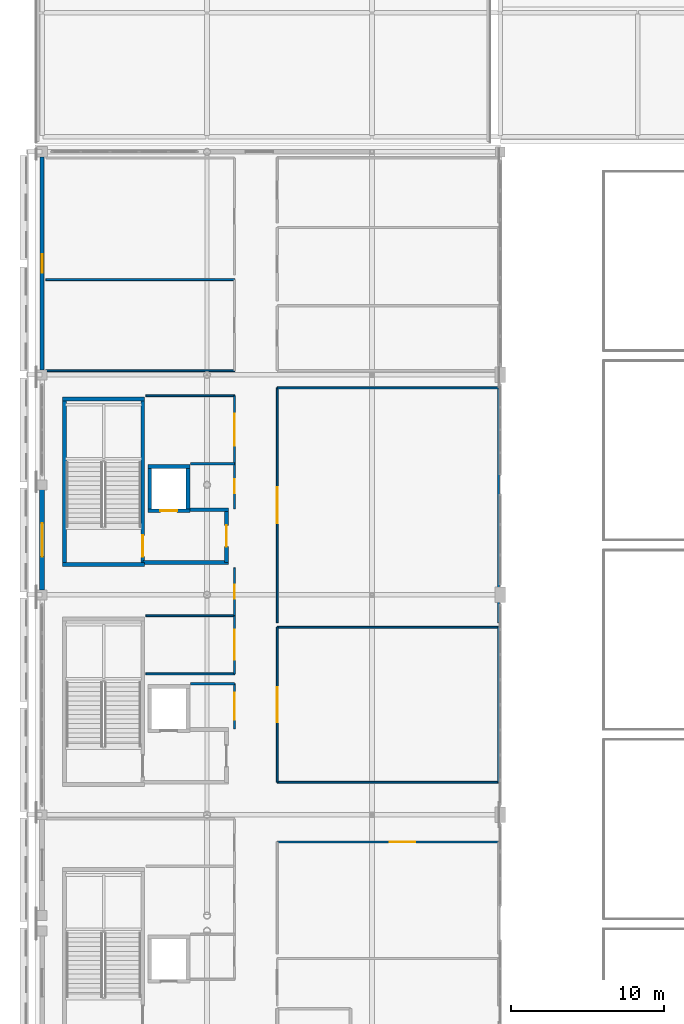
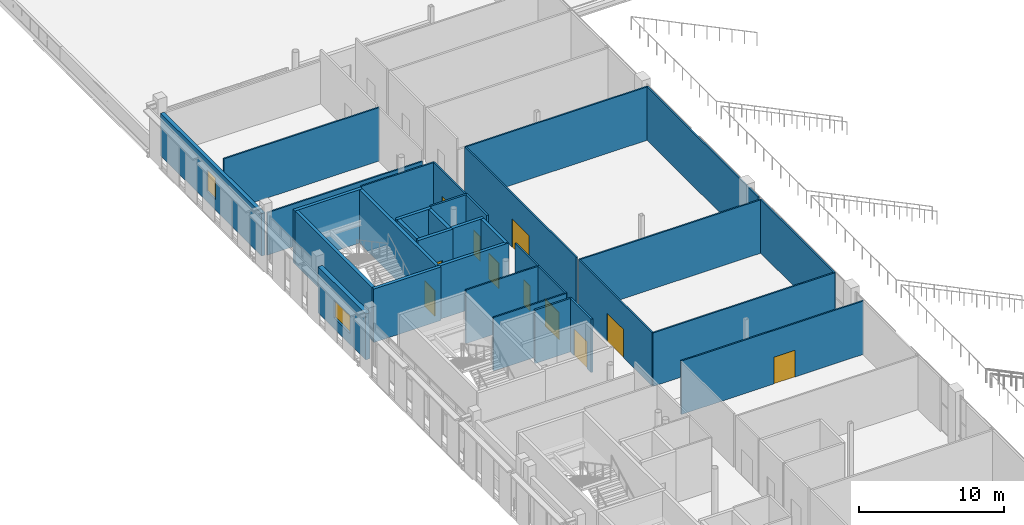
# One storey, part 67 of 104: 33 walls, 11 doors, 2 windows, 13 openings.
"""IFC4 building model written with IfcOpenShell, lengths in metres."""

from ifc_helpers import new_model, si_unit, direction, frame, frame_2d, origin, place, context, subcontext, project, spatial, rectangle, extrude, material, layer, layer_set, type_object, element, fill, save


model = new_model("IFC4")

# Units and contexts
model_context = context("Model", 3, precision=1e-05, world=origin(), true_north=direction((0.0, 1.0)))
body_context = subcontext(model_context, "Body", "Model", "MODEL_VIEW")
ifc_project = project(units=[si_unit("LENGTHUNIT", "METRE"), si_unit("AREAUNIT", "SQUARE_METRE"), si_unit("VOLUMEUNIT", "CUBIC_METRE"), si_unit("PLANEANGLEUNIT", "RADIAN"), si_unit("MASSUNIT", "GRAM", prefix="KILO")], contexts=[model_context])

# Site, building, storey
site_placement = place(None, origin())
site = spatial("IfcSite", under=ifc_project, at=site_placement, CompositionType="ELEMENT")
building_placement = place(site_placement, origin())
building = spatial("IfcBuilding", under=site, at=building_placement, Name="Koshinbarg Plaza Stadium", CompositionType="ELEMENT")
storey_placement = place(building_placement, frame((0.0, 0.0, 19.800048828125)))
storey = spatial("IfcBuildingStorey", under=building, at=storey_placement, Name="L04", CompositionType="ELEMENT", Elevation=19.800048828125)

# Walls
ifc_material_1 = material(Name="Concrete C40/50", Category="concrete")
ifc_layer_1 = layer(ifc_material_1, 0.25)
ifc_layer_set_1 = layer_set([ifc_layer_1], Name="Concrete C40/50")
wall_type_1 = type_object("IfcWallType", Name="WL-CORE-250", PredefinedType="SHEAR", material=ifc_layer_set_1)
for number, where, z_axis, x_axis, name in (
    (1, (25.949951171875, 99.47509765625, 0.0), (0.0, 0.0, 1.0), (1.0, 0.0, 0.0), "L04 core stair shear wall C06-near IWL-L04-0150"),
    (2, (31.320068359375, 110.324951171875, 0.0), (0.0, 0.0, 1.0), (-1.0, 0.0, 0.0), "L04 core stair shear wall C06-far IWL-L04-0151"),
):
    element("IfcWall", number, at=place(storey_placement, frame(where, z_axis=z_axis, x_axis=x_axis)), inside=storey, type_object=wall_type_1, Name=name, PredefinedType="SHEAR", context=body_context, shape_type="SweptSolid", body=[
        extrude(rectangle(XDim=5.3701171875, YDim=0.25, at=frame_2d((2.68505859375, 0.0))), origin(), (0.0, 0.0, 1.0), 4.5),
    ])
wall_1_placement = place(storey_placement, frame((26.074951171875, 99.47509765625, 0.0), z_axis=(0.0, 0.0, 1.0), x_axis=(0.0, 1.0, 0.0)))
element("IfcWall", 3, at=wall_1_placement, inside=storey, type_object=wall_type_1, Name="L04 core stair shear wall C06-left IWL-L04-0152", PredefinedType="SHEAR", context=body_context, shape_type="SweptSolid", body=[
    extrude(rectangle(XDim=10.849853515625, YDim=0.25, at=frame_2d((5.4248046875, 0.0))), origin(), (0.0, 0.0, 1.0), 4.5),
])

# Wall, opening, door
wall_2_placement = place(storey_placement, frame((31.195068359375, 99.47509765625, 0.0), z_axis=(0.0, 0.0, 1.0), x_axis=(0.0, 1.0, 0.0)))
wall_2 = element("IfcWall", 4, at=wall_2_placement, inside=storey, type_object=wall_type_1, Name="L04 core stair shear wall C06-right IWL-L04-0153", PredefinedType="SHEAR", context=body_context, shape_type="SweptSolid", body=[
    extrude(rectangle(XDim=10.849853515625, YDim=0.25, at=frame_2d((5.4248046875, 0.0))), origin(), (0.0, 0.0, 1.0), 4.5),
])
opening_1_placement = place(wall_2_placement, frame((0.52001953125, 0.0, 0.0)))
opening_1 = element("IfcOpeningElement", 5, at=opening_1_placement, cuts=wall_2, Name="Opening D-0100", PredefinedType="OPENING", context=body_context, shape_type="SweptSolid", body=[
    extrude(rectangle(XDim=1.39990234375, YDim=2.14990234375, at=frame_2d((0.699951171875, 1.074951171875))), frame((0.0, 0.135009765625, 0.0), z_axis=(0.0, -1.0, 0.0), x_axis=(1.0, 0.0, 0.0)), (0.0, 0.0, 1.0), 0.27001953125),
])
ifc_material_2 = material(Name="Painted galvanized steel fire door", Category="steel")
door_type_1 = type_object("IfcDoorType", Name="DR-STAIR-1400", OperationType="NOTDEFINED", PredefinedType="DOOR", material=ifc_material_2)
door_1_placement = place(opening_1_placement, origin())
door_1 = element("IfcDoor", 6, at=door_1_placement, inside=storey, type_object=door_type_1, Name="L04 exit stair door C06", OperationType="SINGLE_SWING_LEFT", OverallHeight=2.14990234375, OverallWidth=1.39990234375, PredefinedType="DOOR", context=body_context, shape_type="SweptSolid", body=[
    extrude(rectangle(XDim=1.39990234375, YDim=2.14990234375, at=frame_2d((0.699951171875, 1.074951171875))), frame((0.0, 0.02490234375, 0.0), z_axis=(0.0, -1.0, 0.0), x_axis=(1.0, 0.0, 0.0)), (0.0, 0.0, 1.0), 0.050048828125),
])
fill(opening_1, door_1)

wall_3_placement = place(storey_placement, frame((31.52490234375, 103.0, 0.0), z_axis=(0.0, 0.0, 1.0), x_axis=(1.0, 0.0, 0.0)))
wall_3 = element("IfcWall", 7, at=wall_3_placement, inside=storey, type_object=wall_type_1, Name="L04 lift shaft shear wall FL04-S IWL-L04-0841", PredefinedType="SHEAR", context=body_context, shape_type="SweptSolid", body=[
    extrude(rectangle(XDim=2.75, YDim=0.25, at=frame_2d((1.375, 0.0))), origin(), (0.0, 0.0, 1.0), 4.5),
])
opening_2_placement = place(wall_3_placement, frame((0.824951171875, 0.0, 0.0)))
opening_2 = element("IfcOpeningElement", 8, at=opening_2_placement, cuts=wall_3, Name="Opening D-0279", PredefinedType="OPENING", context=body_context, shape_type="SweptSolid", body=[
    extrude(rectangle(XDim=1.10009765625, YDim=2.14990234375, at=frame_2d((0.550048828125, 1.074951171875))), frame((0.0, 0.135009765625, 0.0), z_axis=(0.0, -1.0, 0.0), x_axis=(1.0, 0.0, 0.0)), (0.0, 0.0, 1.0), 0.27001953125),
])
ifc_material_3 = material(Name="Brushed stainless steel sliding lift landing door", Category="steel")
door_type_2 = type_object("IfcDoorType", Name="DR-LIFT-1100", OperationType="NOTDEFINED", PredefinedType="DOOR", material=ifc_material_3)
door_2_placement = place(opening_2_placement, origin())
door_2 = element("IfcDoor", 9, at=door_2_placement, inside=storey, type_object=door_type_2, Name="L04 lift landing door FL04", OperationType="SLIDING_TO_LEFT", OverallHeight=2.14990234375, OverallWidth=1.10009765625, PredefinedType="DOOR", context=body_context, shape_type="SweptSolid", body=[
    extrude(rectangle(XDim=1.10009765625, YDim=2.14990234375, at=frame_2d((0.550048828125, 1.074951171875))), frame((0.0, 0.02490234375, 0.0), z_axis=(0.0, -1.0, 0.0), x_axis=(1.0, 0.0, 0.0)), (0.0, 0.0, 1.0), 0.050048828125),
])
fill(opening_2, door_2)

# Walls
wall_4_placement = place(storey_placement, frame((34.27490234375, 105.89990234375, 0.0), z_axis=(0.0, 0.0, 1.0), x_axis=(-1.0, 0.0, 0.0)))
element("IfcWall", 10, at=wall_4_placement, inside=storey, type_object=wall_type_1, Name="L04 lift shaft shear wall FL04-N IWL-L04-0842", PredefinedType="SHEAR", context=body_context, shape_type="SweptSolid", body=[
    extrude(rectangle(XDim=2.75, YDim=0.25, at=frame_2d((1.375, 0.0))), origin(), (0.0, 0.0, 1.0), 4.5),
])
for number, where, z_axis, x_axis, name in (
    (11, (31.64990234375, 105.89990234375, 0.0), (0.0, 0.0, 1.0), (0.0, -1.0, 0.0), "L04 lift shaft shear wall FL04-W IWL-L04-0843"),
    (12, (34.14990234375, 103.0, 0.0), (0.0, 0.0, 1.0), (0.0, 1.0, 0.0), "L04 lift shaft shear wall FL04-E IWL-L04-0844"),
):
    element("IfcWall", number, at=place(storey_placement, frame(where, z_axis=z_axis, x_axis=x_axis)), inside=storey, type_object=wall_type_1, Name=name, PredefinedType="SHEAR", context=body_context, shape_type="SweptSolid", body=[
        extrude(rectangle(XDim=2.89990234375, YDim=0.25, at=frame_2d((1.449951171875, 0.0))), origin(), (0.0, 0.0, 1.0), 4.5),
    ])

# Wall, opening, door
wall_5_placement = place(storey_placement, frame((36.675048828125, 99.625, 0.0), z_axis=(0.0, 0.0, 1.0), x_axis=(0.0, 1.0, 0.0)))
wall_5 = element("IfcWall", 13, at=wall_5_placement, inside=storey, type_object=wall_type_1, Name="L04 firefighting lobby wall C06-E IWL-L04-0845", PredefinedType="SHEAR", context=body_context, shape_type="SweptSolid", body=[
    extrude(rectangle(XDim=3.449951171875, YDim=0.25, at=frame_2d((1.72509765625, 0.0))), origin(), (0.0, 0.0, 1.0), 4.5),
])
opening_3_placement = place(wall_5_placement, frame((1.02490234375, 0.0, 0.0)))
opening_3 = element("IfcOpeningElement", 14, at=opening_3_placement, cuts=wall_5, Name="Opening D-0280", PredefinedType="OPENING", context=body_context, shape_type="SweptSolid", body=[
    extrude(rectangle(XDim=1.39990234375, YDim=2.14990234375, at=frame_2d((0.699951171875, 1.074951171875))), frame((0.0, 0.135009765625, 0.0), z_axis=(0.0, -1.0, 0.0), x_axis=(1.0, 0.0, 0.0)), (0.0, 0.0, 1.0), 0.27001953125),
])
ifc_material_4 = material(Name="Smoke-sealed steel firefighting lobby door", Category="steel")
door_type_3 = type_object("IfcDoorType", Name="DR-FFLOB-1400", OperationType="NOTDEFINED", PredefinedType="DOOR", material=ifc_material_4)
door_3_placement = place(opening_3_placement, origin())
door_3 = element("IfcDoor", 15, at=door_3_placement, inside=storey, type_object=door_type_3, Name="L04 firefighting lobby fire door C06", OperationType="DOUBLE_DOOR_SINGLE_SWING", OverallHeight=2.14990234375, OverallWidth=1.39990234375, PredefinedType="DOOR", context=body_context, shape_type="SweptSolid", body=[
    extrude(rectangle(XDim=1.39990234375, YDim=2.14990234375, at=frame_2d((0.699951171875, 1.074951171875))), frame((0.0, 0.02490234375, 0.0), z_axis=(0.0, -1.0, 0.0), x_axis=(1.0, 0.0, 0.0)), (0.0, 0.0, 1.0), 0.050048828125),
])
fill(opening_3, door_3)

# Walls
wall_6_placement = place(storey_placement, frame((34.27490234375, 103.074951171875, 0.0), z_axis=(0.0, 0.0, 1.0), x_axis=(1.0, 0.0, 0.0)))
element("IfcWall", 16, at=wall_6_placement, inside=storey, type_object=wall_type_1, Name="L04 firefighting lobby wall C06-NE IWL-L04-0846", PredefinedType="SHEAR", context=body_context, shape_type="SweptSolid", body=[
    extrude(rectangle(XDim=2.525146484375, YDim=0.25, at=frame_2d((1.2626953125, 0.0))), origin(), (0.0, 0.0, 1.0), 4.5),
])
wall_7_placement = place(storey_placement, frame((31.199951171875, 99.625, 0.0), z_axis=(0.0, 0.0, 1.0), x_axis=(1.0, 0.0, 0.0)))
element("IfcWall", 17, at=wall_7_placement, inside=storey, type_object=wall_type_1, Name="L04 firefighting lobby wall C06-S IWL-L04-0847", PredefinedType="SHEAR", context=body_context, shape_type="SweptSolid", body=[
    extrude(rectangle(XDim=5.60009765625, YDim=0.25, at=frame_2d((2.800048828125, 0.0))), origin(), (0.0, 0.0, 1.0), 4.5),
])

# Wall, opening, window
ifc_material_5 = material(Name="Terracotta-ochre mineral plaster insulated wall", Category="masonry")
ifc_layer_2 = layer(ifc_material_5, 0.280029296875)
ifc_layer_set_2 = layer_set([ifc_layer_2], Name="Terracotta-ochre mineral plaster insulated wall")
wall_type_2 = type_object("IfcWallType", Name="WL-EXT-280", PredefinedType="SOLIDWALL", material=ifc_layer_set_2)
wall_8_placement = place(storey_placement, frame((24.60009765625, 112.219970703125, 0.0), z_axis=(0.0, 0.0, 1.0), x_axis=(0.0, 1.0, 0.0)))
wall_8 = element("IfcWall", 18, at=wall_8_placement, inside=storey, type_object=wall_type_2, Name="L04 exterior envelope wall EWL-L04-0208", PredefinedType="SOLIDWALL", context=body_context, shape_type="SweptSolid", body=[
    extrude(rectangle(XDim=13.93505859375, YDim=0.280029296875, at=frame_2d((6.967529296875, 0.0))), origin(), (0.0, 0.0, 1.0), 3.579833984375),
])
opening_4_placement = place(wall_8_placement, frame((6.367431640625, 0.0, 0.89990234375)))
opening_4 = element("IfcOpeningElement", 19, at=opening_4_placement, cuts=wall_8, Name="Opening WN07", PredefinedType="OPENING", context=body_context, shape_type="SweptSolid", body=[
    extrude(rectangle(XDim=1.199951171875, YDim=1.800048828125, at=frame_2d((0.60009765625, 0.89990234375))), frame((0.0, 0.14990234375, 0.0), z_axis=(0.0, -1.0, 0.0), x_axis=(1.0, 0.0, 0.0)), (0.0, 0.0, 1.0), 0.300048828125),
])
ifc_material_6 = material(Name="Solar-control double glazing in thermally broken aluminium frame", Category="aluminium")
window_type_1 = type_object("IfcWindowType", Name="WN-FAC-07", PartitioningType="DOUBLE_PANEL_VERTICAL", PredefinedType="WINDOW", material=ifc_material_6)
window_1_placement = place(opening_4_placement, origin())
window_1 = element("IfcWindow", 20, at=window_1_placement, inside=storey, type_object=window_type_1, Name="L04 facade window 0141", OverallHeight=1.800048828125, OverallWidth=1.199951171875, PartitioningType="SINGLE_PANEL", PredefinedType="WINDOW", context=body_context, shape_type="SweptSolid", body=[
    extrude(rectangle(XDim=1.199951171875, YDim=1.800048828125, at=frame_2d((0.60009765625, 0.89990234375))), frame((0.0, 0.030029296875, 0.0), z_axis=(0.0, -1.0, 0.0), x_axis=(1.0, 0.0, 0.0)), (0.0, 0.0, 1.0), 0.06005859375),
])
fill(opening_4, window_1)

ifc_material_7 = material(Name="Acoustic insulated masonry stadium wall", Category="masonry")
ifc_layer_3 = layer(ifc_material_7, 0.35009765625)
ifc_layer_set_3 = layer_set([ifc_layer_3], Name="Acoustic insulated masonry stadium wall")
wall_type_3 = type_object("IfcWallType", Name="WL-EXT-350", PredefinedType="SOLIDWALL", material=ifc_layer_set_3)
wall_9_placement = place(storey_placement, frame((24.60009765625, 97.820068359375, 0.0), z_axis=(0.0, 0.0, 1.0), x_axis=(0.0, 1.0, 0.0)))
wall_9 = element("IfcWall", 21, at=wall_9_placement, inside=storey, type_object=wall_type_3, Name="L04 exterior envelope wall EWL-L04-0207", PredefinedType="SOLIDWALL", context=body_context, shape_type="SweptSolid", body=[
    extrude(rectangle(XDim=6.559814453125, YDim=0.35009765625, at=frame_2d((3.27978515625, 0.0))), origin(), (0.0, 0.0, 1.0), 3.8798828125),
])
opening_5_placement = place(wall_9_placement, frame((2.179931640625, 0.0, 0.89990234375)))
opening_5 = element("IfcOpeningElement", 22, at=opening_5_placement, cuts=wall_9, Name="Opening WN06", PredefinedType="OPENING", context=body_context, shape_type="SweptSolid", body=[
    extrude(rectangle(XDim=2.199951171875, YDim=1.5, at=frame_2d((1.10009765625, 0.75))), frame((0.0, 0.18505859375, 0.0), z_axis=(0.0, -1.0, 0.0), x_axis=(1.0, 0.0, 0.0)), (0.0, 0.0, 1.0), 0.3701171875),
])
window_type_2 = type_object("IfcWindowType", Name="WN-FAC-06", PartitioningType="DOUBLE_PANEL_VERTICAL", PredefinedType="WINDOW", material=ifc_material_6)
window_2_placement = place(opening_5_placement, origin())
window_2 = element("IfcWindow", 23, at=window_2_placement, inside=storey, type_object=window_type_2, Name="L04 facade window 0140", OverallHeight=1.5, OverallWidth=2.199951171875, PartitioningType="SINGLE_PANEL", PredefinedType="WINDOW", context=body_context, shape_type="SweptSolid", body=[
    extrude(rectangle(XDim=2.199951171875, YDim=1.5, at=frame_2d((1.10009765625, 0.75))), frame((0.0, 0.030029296875, 0.0), z_axis=(0.0, -1.0, 0.0), x_axis=(1.0, 0.0, 0.0)), (0.0, 0.0, 1.0), 0.06005859375),
])
fill(opening_5, window_2)

# Wall, opening, door
ifc_material_8 = material(Name="Gypsum board metal-stud acoustic partition")
ifc_layer_4 = layer(ifc_material_8, 0.1201171875)
ifc_layer_set_4 = layer_set([ifc_layer_4], Name="Gypsum board metal-stud acoustic partition")
wall_type_4 = type_object("IfcWallType", Name="WL-PART-120", PredefinedType="PARTITIONING", material=ifc_layer_set_4)
wall_10_placement = place(storey_placement, frame((54.47998046875, 81.320068359375, 0.0), z_axis=(0.0, 0.0, 1.0), x_axis=(-1.0, 0.0, 0.0)))
wall_10 = element("IfcWall", 24, at=wall_10_placement, inside=storey, type_object=wall_type_4, Name="L04 interior partition L04-51-north IWL-L04-2130", PredefinedType="PARTITIONING", context=body_context, shape_type="SweptSolid", body=[
    extrude(rectangle(XDim=14.47998046875, YDim=0.1201171875, at=frame_2d((7.239990234375, 0.0))), origin(), (0.0, 0.0, 1.0), 4.5),
])
opening_6_placement = place(wall_10_placement, frame((5.431884765625, 0.0, 0.0)))
opening_6 = element("IfcOpeningElement", 25, at=opening_6_placement, cuts=wall_10, Name="Opening D-0734", PredefinedType="OPENING", context=body_context, shape_type="SweptSolid", body=[
    extrude(rectangle(XDim=1.679931640625, YDim=2.25, at=frame_2d((0.83984375, 1.125))), frame((0.0, 0.070068359375, 0.0), z_axis=(0.0, -1.0, 0.0), x_axis=(1.0, 0.0, 0.0)), (0.0, 0.0, 1.0), 0.14013671875),
])
ifc_material_9 = material(Name="Powder-coated aluminium double glazed door", Category="aluminium")
door_type_4 = type_object("IfcDoorType", Name="DR-INT-1680x2250", OperationType="NOTDEFINED", PredefinedType="DOOR", material=ifc_material_9)
door_4_placement = place(opening_6_placement, origin())
door_4 = element("IfcDoor", 26, at=door_4_placement, inside=storey, type_object=door_type_4, Name="L04 International Press Lounge door D-0734", OperationType="DOUBLE_DOOR_SINGLE_SWING", OverallHeight=2.25, OverallWidth=1.679931640625, PredefinedType="DOOR", context=body_context, shape_type="SweptSolid", body=[
    extrude(rectangle(XDim=1.679931640625, YDim=2.25, at=frame_2d((0.83984375, 1.125))), frame((0.0, 0.02490234375, 0.0), z_axis=(0.0, -1.0, 0.0), x_axis=(1.0, 0.0, 0.0)), (0.0, 0.0, 1.0), 0.050048828125),
])
fill(opening_6, door_4)

wall_11_placement = place(storey_placement, frame((37.199951171875, 96.1298828125, 0.0), z_axis=(0.0, 0.0, 1.0), x_axis=(0.0, 1.0, 0.0)))
wall_11 = element("IfcWall", 27, at=wall_11_placement, inside=storey, type_object=wall_type_4, Name="L04 interior partition L04-53-east IWL-L04-2134", PredefinedType="PARTITIONING", context=body_context, shape_type="SweptSolid", body=[
    extrude(rectangle(XDim=3.14013671875, YDim=0.1201171875, at=frame_2d((1.570068359375, 0.0))), origin(), (0.0, 0.0, 1.0), 4.5),
])
opening_7_placement = place(wall_11_placement, frame((1.110107421875, 0.0, 0.0)))
opening_7 = element("IfcOpeningElement", 28, at=opening_7_placement, cuts=wall_11, Name="Opening D-0736", PredefinedType="OPENING", context=body_context, shape_type="SweptSolid", body=[
    extrude(rectangle(XDim=0.919921875, YDim=2.10009765625, at=frame_2d((0.4599609375, 1.050048828125))), frame((0.0, 0.070068359375, 0.0), z_axis=(0.0, -1.0, 0.0), x_axis=(1.0, 0.0, 0.0)), (0.0, 0.0, 1.0), 0.14013671875),
])
ifc_material_10 = material(Name="Solid-core oak veneer acoustic door")
door_type_5 = type_object("IfcDoorType", Name="DR-INT-0920x2100", OperationType="NOTDEFINED", PredefinedType="DOOR", material=ifc_material_10)
door_5_placement = place(opening_7_placement, origin())
door_5 = element("IfcDoor", 29, at=door_5_placement, inside=storey, type_object=door_type_5, Name="L04 International Press Lounge door D-0736", OperationType="SINGLE_SWING_RIGHT", OverallHeight=2.10009765625, OverallWidth=0.919921875, PredefinedType="DOOR", context=body_context, shape_type="SweptSolid", body=[
    extrude(rectangle(XDim=0.919921875, YDim=2.10009765625, at=frame_2d((0.4599609375, 1.050048828125))), frame((0.0, 0.02490234375, 0.0), z_axis=(0.0, -1.0, 0.0), x_axis=(1.0, 0.0, 0.0)), (0.0, 0.0, 1.0), 0.050048828125),
])
fill(opening_7, door_5)

# Wall
wall_12_placement = place(storey_placement, frame((31.39990234375, 92.323486328125, 0.0), z_axis=(0.0, 0.0, 1.0), x_axis=(1.0, 0.0, 0.0)))
element("IfcWall", 30, at=wall_12_placement, inside=storey, type_object=wall_type_4, Name="L04 interior partition L04-54-south IWL-L04-2135", PredefinedType="PARTITIONING", context=body_context, shape_type="SweptSolid", body=[
    extrude(rectangle(XDim=5.800048828125, YDim=0.1201171875, at=frame_2d((2.89990234375, 0.0))), origin(), (0.0, 0.0, 1.0), 4.5),
])

# Wall, opening, door
wall_13_placement = place(storey_placement, frame((37.199951171875, 92.323486328125, 0.0), z_axis=(0.0, 0.0, 1.0), x_axis=(0.0, 1.0, 0.0)))
wall_13 = element("IfcWall", 31, at=wall_13_placement, inside=storey, type_object=wall_type_4, Name="L04 interior partition L04-54-east IWL-L04-2136", PredefinedType="PARTITIONING", context=body_context, shape_type="SweptSolid", body=[
    extrude(rectangle(XDim=3.806396484375, YDim=0.1201171875, at=frame_2d((1.9033203125, 0.0))), origin(), (0.0, 0.0, 1.0), 4.5),
])
opening_8_placement = place(wall_13_placement, frame((0.923095703125, 0.0, 0.0)))
opening_8 = element("IfcOpeningElement", 32, at=opening_8_placement, cuts=wall_13, Name="Opening D-0737", PredefinedType="OPENING", context=body_context, shape_type="SweptSolid", body=[
    extrude(rectangle(XDim=1.9599609375, YDim=2.300048828125, at=frame_2d((0.97998046875, 1.14990234375))), frame((0.0, 0.070068359375, 0.0), z_axis=(0.0, -1.0, 0.0), x_axis=(1.0, 0.0, 0.0)), (0.0, 0.0, 1.0), 0.14013671875),
])
ifc_material_11 = material(Name="Bronze-anodised aluminium glazed double door", Category="aluminium")
door_type_6 = type_object("IfcDoorType", Name="DR-INT-1960x2300", OperationType="NOTDEFINED", PredefinedType="DOOR", material=ifc_material_11)
door_6_placement = place(opening_8_placement, origin())
door_6 = element("IfcDoor", 33, at=door_6_placement, inside=storey, type_object=door_type_6, Name="L04 West Skybox Salon door D-0737", OperationType="DOUBLE_DOOR_SINGLE_SWING", OverallHeight=2.300048828125, OverallWidth=1.9599609375, PredefinedType="DOOR", context=body_context, shape_type="SweptSolid", body=[
    extrude(rectangle(XDim=1.9599609375, YDim=2.300048828125, at=frame_2d((0.97998046875, 1.14990234375))), frame((0.0, 0.02490234375, 0.0), z_axis=(0.0, -1.0, 0.0), x_axis=(1.0, 0.0, 0.0)), (0.0, 0.0, 1.0), 0.050048828125),
])
fill(opening_8, door_6)

# Wall
wall_14_placement = place(storey_placement, frame((37.199951171875, 96.1298828125, 0.0), z_axis=(0.0, 0.0, 1.0), x_axis=(-1.0, 0.0, 0.0)))
element("IfcWall", 34, at=wall_14_placement, inside=storey, type_object=wall_type_4, Name="L04 interior partition L04-54-north IWL-L04-2137", PredefinedType="PARTITIONING", context=body_context, shape_type="SweptSolid", body=[
    extrude(rectangle(XDim=5.800048828125, YDim=0.1201171875, at=frame_2d((2.89990234375, 0.0))), origin(), (0.0, 0.0, 1.0), 4.5),
])

# Wall, opening, door
wall_15_placement = place(storey_placement, frame((37.199951171875, 106.080078125, 0.0), z_axis=(0.0, 0.0, 1.0), x_axis=(0.0, 1.0, 0.0)))
wall_15 = element("IfcWall", 35, at=wall_15_placement, inside=storey, type_object=wall_type_4, Name="L04 interior partition L04-55-east IWL-L04-2138", PredefinedType="PARTITIONING", context=body_context, shape_type="SweptSolid", body=[
    extrude(rectangle(XDim=4.449951171875, YDim=0.1201171875, at=frame_2d((2.22509765625, 0.0))), origin(), (0.0, 0.0, 1.0), 4.5),
])
opening_9_placement = place(wall_15_placement, frame((1.18505859375, 0.0, 0.0)))
opening_9 = element("IfcOpeningElement", 36, at=opening_9_placement, cuts=wall_15, Name="Opening D-0738", PredefinedType="OPENING", context=body_context, shape_type="SweptSolid", body=[
    extrude(rectangle(XDim=2.080078125, YDim=2.35009765625, at=frame_2d((1.0400390625, 1.175048828125))), frame((0.0, 0.070068359375, 0.0), z_axis=(0.0, -1.0, 0.0), x_axis=(1.0, 0.0, 0.0)), (0.0, 0.0, 1.0), 0.14013671875),
])
ifc_material_12 = material(Name="Laminated safety glass aluminium vestibule door", Category="aluminium")
door_type_7 = type_object("IfcDoorType", Name="DR-INT-2080x2350", OperationType="NOTDEFINED", PredefinedType="DOOR", material=ifc_material_12)
door_7_placement = place(opening_9_placement, origin())
door_7 = element("IfcDoor", 37, at=door_7_placement, inside=storey, type_object=door_type_7, Name="L04 West Skybox Salon door D-0738", OperationType="DOUBLE_DOOR_SINGLE_SWING", OverallHeight=2.35009765625, OverallWidth=2.080078125, PredefinedType="DOOR", context=body_context, shape_type="SweptSolid", body=[
    extrude(rectangle(XDim=2.080078125, YDim=2.35009765625, at=frame_2d((1.0400390625, 1.175048828125))), frame((0.0, 0.02490234375, 0.0), z_axis=(0.0, -1.0, 0.0), x_axis=(1.0, 0.0, 0.0)), (0.0, 0.0, 1.0), 0.050048828125),
])
fill(opening_9, door_7)

# Walls
wall_16_placement = place(storey_placement, frame((37.199951171875, 110.530029296875, 0.0), z_axis=(0.0, 0.0, 1.0), x_axis=(-1.0, 0.0, 0.0)))
element("IfcWall", 38, at=wall_16_placement, inside=storey, type_object=wall_type_4, Name="L04 interior partition L04-55-north IWL-L04-2139", PredefinedType="PARTITIONING", context=body_context, shape_type="SweptSolid", body=[
    extrude(rectangle(XDim=5.800048828125, YDim=0.1201171875, at=frame_2d((2.89990234375, 0.0))), origin(), (0.0, 0.0, 1.0), 4.5),
])
wall_17_placement = place(storey_placement, frame((40.0, 85.22998046875, 0.0), z_axis=(0.0, 0.0, 1.0), x_axis=(1.0, 0.0, 0.0)))
element("IfcWall", 39, at=wall_17_placement, inside=storey, type_object=wall_type_4, Name="L04 interior partition L04-57-south IWL-L04-2142", PredefinedType="PARTITIONING", context=body_context, shape_type="SweptSolid", body=[
    extrude(rectangle(XDim=14.47998046875, YDim=0.1201171875, at=frame_2d((7.239990234375, 0.0))), origin(), (0.0, 0.0, 1.0), 4.5),
])
wall_18_placement = place(storey_placement, frame((54.47998046875, 85.22998046875, 0.0), z_axis=(0.0, 0.0, 1.0), x_axis=(0.0, 1.0, 0.0)))
element("IfcWall", 40, at=wall_18_placement, inside=storey, type_object=wall_type_4, Name="L04 interior partition L04-57-east IWL-L04-2143", PredefinedType="PARTITIONING", context=body_context, shape_type="SweptSolid", body=[
    extrude(rectangle(XDim=10.151123046875, YDim=0.1201171875, at=frame_2d((5.07568359375, 0.0))), origin(), (0.0, 0.0, 1.0), 4.5),
])
wall_19_placement = place(storey_placement, frame((54.47998046875, 95.381103515625, 0.0), z_axis=(0.0, 0.0, 1.0), x_axis=(-1.0, 0.0, 0.0)))
element("IfcWall", 41, at=wall_19_placement, inside=storey, type_object=wall_type_4, Name="L04 interior partition L04-57-north IWL-L04-2144", PredefinedType="PARTITIONING", context=body_context, shape_type="SweptSolid", body=[
    extrude(rectangle(XDim=14.47998046875, YDim=0.1201171875, at=frame_2d((7.239990234375, 0.0))), origin(), (0.0, 0.0, 1.0), 4.5),
])

# Wall, opening, door
wall_20_placement = place(storey_placement, frame((40.0, 95.381103515625, 0.0), z_axis=(0.0, 0.0, 1.0), x_axis=(0.0, -1.0, 0.0)))
wall_20 = element("IfcWall", 42, at=wall_20_placement, inside=storey, type_object=wall_type_4, Name="L04 interior partition L04-57-west IWL-L04-2145", PredefinedType="PARTITIONING", context=body_context, shape_type="SweptSolid", body=[
    extrude(rectangle(XDim=10.151123046875, YDim=0.1201171875, at=frame_2d((5.07568359375, 0.0))), origin(), (0.0, 0.0, 1.0), 4.5),
])
opening_10_placement = place(wall_20_placement, frame((3.935546875, 0.0, 0.0)))
opening_10 = element("IfcOpeningElement", 43, at=opening_10_placement, cuts=wall_20, Name="Opening D-0740", PredefinedType="OPENING", context=body_context, shape_type="SweptSolid", body=[
    extrude(rectangle(XDim=2.280029296875, YDim=2.39990234375, at=frame_2d((1.14013671875, 1.199951171875))), frame((0.0, 0.070068359375, 0.0), z_axis=(0.0, -1.0, 0.0), x_axis=(1.0, 0.0, 0.0)), (0.0, 0.0, 1.0), 0.14013671875),
])
ifc_material_13 = material(Name="Anodised aluminium and laminated glass portal door", Category="aluminium")
door_type_8 = type_object("IfcDoorType", Name="DR-INT-2280x2400", OperationType="NOTDEFINED", PredefinedType="DOOR", material=ifc_material_13)
door_8_placement = place(opening_10_placement, origin())
door_8 = element("IfcDoor", 44, at=door_8_placement, inside=storey, type_object=door_type_8, Name="L04 International Press Lounge door D-0740", OperationType="DOUBLE_DOOR_SINGLE_SWING", OverallHeight=2.39990234375, OverallWidth=2.280029296875, PredefinedType="DOOR", context=body_context, shape_type="SweptSolid", body=[
    extrude(rectangle(XDim=2.280029296875, YDim=2.39990234375, at=frame_2d((1.14013671875, 1.199951171875))), frame((0.0, 0.02490234375, 0.0), z_axis=(0.0, -1.0, 0.0), x_axis=(1.0, 0.0, 0.0)), (0.0, 0.0, 1.0), 0.050048828125),
])
fill(opening_10, door_8)

# Walls
wall_21_placement = place(storey_placement, frame((54.47998046875, 95.68115234375, 0.0), z_axis=(0.0, 0.0, 1.0), x_axis=(0.0, 1.0, 0.0)))
element("IfcWall", 45, at=wall_21_placement, inside=storey, type_object=wall_type_4, Name="L04 interior partition L04-58-east IWL-L04-2146", PredefinedType="PARTITIONING", context=body_context, shape_type="SweptSolid", body=[
    extrude(rectangle(XDim=15.368896484375, YDim=0.1201171875, at=frame_2d((7.6845703125, 0.0))), origin(), (0.0, 0.0, 1.0), 4.5),
])
wall_22_placement = place(storey_placement, frame((54.47998046875, 111.050048828125, 0.0), z_axis=(0.0, 0.0, 1.0), x_axis=(-1.0, 0.0, 0.0)))
element("IfcWall", 46, at=wall_22_placement, inside=storey, type_object=wall_type_4, Name="L04 interior partition L04-58-north IWL-L04-2147", PredefinedType="PARTITIONING", context=body_context, shape_type="SweptSolid", body=[
    extrude(rectangle(XDim=14.47998046875, YDim=0.1201171875, at=frame_2d((7.239990234375, 0.0))), origin(), (0.0, 0.0, 1.0), 4.5),
])

# Wall, opening, door
wall_23_placement = place(storey_placement, frame((40.0, 111.050048828125, 0.0), z_axis=(0.0, 0.0, 1.0), x_axis=(0.0, -1.0, 0.0)))
wall_23 = element("IfcWall", 47, at=wall_23_placement, inside=storey, type_object=wall_type_4, Name="L04 interior partition L04-58-west IWL-L04-2148", PredefinedType="PARTITIONING", context=body_context, shape_type="SweptSolid", body=[
    extrude(rectangle(XDim=15.368896484375, YDim=0.1201171875, at=frame_2d((7.6845703125, 0.0))), origin(), (0.0, 0.0, 1.0), 4.5),
])
opening_11_placement = place(wall_23_placement, frame((6.50439453125, 0.0, 0.0)))
opening_11 = element("IfcOpeningElement", 48, at=opening_11_placement, cuts=wall_23, Name="Opening D-0741", PredefinedType="OPENING", context=body_context, shape_type="SweptSolid", body=[
    extrude(rectangle(XDim=2.360107421875, YDim=2.39990234375, at=frame_2d((1.18017578125, 1.199951171875))), frame((0.0, 0.070068359375, 0.0), z_axis=(0.0, -1.0, 0.0), x_axis=(1.0, 0.0, 0.0)), (0.0, 0.0, 1.0), 0.14013671875),
])
ifc_material_14 = material(Name="Powder-coated steel and tempered glass double door", Category="steel")
door_type_9 = type_object("IfcDoorType", Name="DR-INT-2360x2400", OperationType="NOTDEFINED", PredefinedType="DOOR", material=ifc_material_14)
door_9_placement = place(opening_11_placement, origin())
door_9 = element("IfcDoor", 49, at=door_9_placement, inside=storey, type_object=door_type_9, Name="L04 West Skybox Salon door D-0741", OperationType="DOUBLE_DOOR_SINGLE_SWING", OverallHeight=2.39990234375, OverallWidth=2.360107421875, PredefinedType="DOOR", context=body_context, shape_type="SweptSolid", body=[
    extrude(rectangle(XDim=2.360107421875, YDim=2.39990234375, at=frame_2d((1.18017578125, 1.199951171875))), frame((0.0, 0.02490234375, 0.0), z_axis=(0.0, -1.0, 0.0), x_axis=(1.0, 0.0, 0.0)), (0.0, 0.0, 1.0), 0.050048828125),
])
fill(opening_11, door_9)

# Walls
wall_24_placement = place(storey_placement, frame((24.844970703125, 112.169921875, 0.0), z_axis=(0.0, 0.0, 1.0), x_axis=(1.0, 0.0, 0.0)))
element("IfcWall", 50, at=wall_24_placement, inside=storey, type_object=wall_type_4, Name="L04 interior partition L04-59-south IWL-L04-2149", PredefinedType="PARTITIONING", context=body_context, shape_type="SweptSolid", body=[
    extrude(rectangle(XDim=12.35498046875, YDim=0.1201171875, at=frame_2d((6.177490234375, 0.0))), origin(), (0.0, 0.0, 1.0), 3.579833984375),
])
wall_25_placement = place(storey_placement, frame((37.199951171875, 118.13330078125, 0.0), z_axis=(0.0, 0.0, 1.0), x_axis=(-1.0, 0.0, 0.0)))
element("IfcWall", 51, at=wall_25_placement, inside=storey, type_object=wall_type_4, Name="L04 interior partition L04-59-north IWL-L04-2151", PredefinedType="PARTITIONING", context=body_context, shape_type="SweptSolid", body=[
    extrude(rectangle(XDim=12.35498046875, YDim=0.1201171875, at=frame_2d((6.177490234375, 0.0))), origin(), (0.0, 0.0, 1.0), 4.5),
])

# Wall, opening, door
ifc_material_15 = material(Name="Double-layer gypsum acoustic suite partition")
ifc_layer_5 = layer(ifc_material_15, 0.14990234375)
ifc_layer_set_5 = layer_set([ifc_layer_5], Name="Double-layer gypsum acoustic suite partition")
wall_type_5 = type_object("IfcWallType", Name="WL-PART-150", PredefinedType="PARTITIONING", material=ifc_layer_set_5)
wall_26_placement = place(storey_placement, frame((37.199951171875, 88.72998046875, 0.0), z_axis=(0.0, 0.0, 1.0), x_axis=(0.0, 1.0, 0.0)))
wall_26 = element("IfcWall", 52, at=wall_26_placement, inside=storey, type_object=wall_type_5, Name="L04 interior partition L04-52-east IWL-L04-2132", PredefinedType="PARTITIONING", context=body_context, shape_type="SweptSolid", body=[
    extrude(rectangle(XDim=2.949951171875, YDim=0.14990234375, at=frame_2d((1.47509765625, 0.0))), origin(), (0.0, 0.0, 1.0), 4.5),
])
opening_12_placement = place(wall_26_placement, frame((0.594970703125, 0.0, 0.0)))
opening_12 = element("IfcOpeningElement", 53, at=opening_12_placement, cuts=wall_26, Name="Opening D-0735", PredefinedType="OPENING", context=body_context, shape_type="SweptSolid", body=[
    extrude(rectangle(XDim=1.760009765625, YDim=2.25, at=frame_2d((0.8798828125, 1.125))), frame((0.0, 0.0849609375, 0.0), z_axis=(0.0, -1.0, 0.0), x_axis=(1.0, 0.0, 0.0)), (0.0, 0.0, 1.0), 0.169921875),
])
ifc_material_16 = material(Name="Solid-core oak veneer double swing door")
door_type_10 = type_object("IfcDoorType", Name="DR-INT-1760x2250", OperationType="NOTDEFINED", PredefinedType="DOOR", material=ifc_material_16)
door_10_placement = place(opening_12_placement, origin())
door_10 = element("IfcDoor", 54, at=door_10_placement, inside=storey, type_object=door_type_10, Name="L04 Television Broadcast Studio door D-0735", OperationType="DOUBLE_DOOR_SINGLE_SWING", OverallHeight=2.25, OverallWidth=1.760009765625, PredefinedType="DOOR", context=body_context, shape_type="SweptSolid", body=[
    extrude(rectangle(XDim=1.760009765625, YDim=2.25, at=frame_2d((0.8798828125, 1.125))), frame((0.0, 0.02490234375, 0.0), z_axis=(0.0, -1.0, 0.0), x_axis=(1.0, 0.0, 0.0)), (0.0, 0.0, 1.0), 0.050048828125),
])
fill(opening_12, door_10)

# Wall
wall_27_placement = place(storey_placement, frame((37.199951171875, 91.679931640625, 0.0), z_axis=(0.0, 0.0, 1.0), x_axis=(-1.0, 0.0, 0.0)))
element("IfcWall", 55, at=wall_27_placement, inside=storey, type_object=wall_type_5, Name="L04 interior partition L04-52-north IWL-L04-2133", PredefinedType="PARTITIONING", context=body_context, shape_type="SweptSolid", body=[
    extrude(rectangle(XDim=2.869873046875, YDim=0.14990234375, at=frame_2d((1.43505859375, 0.0))), origin(), (0.0, 0.0, 1.0), 4.5),
])

# Wall, opening, door
wall_28_placement = place(storey_placement, frame((37.199951171875, 103.1298828125, 0.0), z_axis=(0.0, 0.0, 1.0), x_axis=(0.0, 1.0, 0.0)))
wall_28 = element("IfcWall", 56, at=wall_28_placement, inside=storey, type_object=wall_type_5, Name="L04 interior partition L04-56-east IWL-L04-2140", PredefinedType="PARTITIONING", context=body_context, shape_type="SweptSolid", body=[
    extrude(rectangle(XDim=2.9501953125, YDim=0.14990234375, at=frame_2d((1.47509765625, 0.0))), origin(), (0.0, 0.0, 1.0), 4.5),
])
opening_13_placement = place(wall_28_placement, frame((1.014892578125, 0.0, 0.0)))
opening_13 = element("IfcOpeningElement", 57, at=opening_13_placement, cuts=wall_28, Name="Opening D-0739", PredefinedType="OPENING", context=body_context, shape_type="SweptSolid", body=[
    extrude(rectangle(XDim=0.919921875, YDim=2.10009765625, at=frame_2d((0.4599609375, 1.050048828125))), frame((0.0, 0.0849609375, 0.0), z_axis=(0.0, -1.0, 0.0), x_axis=(1.0, 0.0, 0.0)), (0.0, 0.0, 1.0), 0.169921875),
])
door_11_placement = place(opening_13_placement, origin())
door_11 = element("IfcDoor", 58, at=door_11_placement, inside=storey, type_object=door_type_5, Name="L04 Commentary Production Studio door D-0739", OperationType="SINGLE_SWING_LEFT", OverallHeight=2.10009765625, OverallWidth=0.919921875, PredefinedType="DOOR", context=body_context, shape_type="SweptSolid", body=[
    extrude(rectangle(XDim=0.919921875, YDim=2.10009765625, at=frame_2d((0.4599609375, 1.050048828125))), frame((0.0, 0.02490234375, 0.0), z_axis=(0.0, -1.0, 0.0), x_axis=(1.0, 0.0, 0.0)), (0.0, 0.0, 1.0), 0.050048828125),
])
fill(opening_13, door_11)

# Wall
wall_29_placement = place(storey_placement, frame((37.199951171875, 106.080078125, 0.0), z_axis=(0.0, 0.0, 1.0), x_axis=(-1.0, 0.0, 0.0)))
element("IfcWall", 59, at=wall_29_placement, inside=storey, type_object=wall_type_5, Name="L04 interior partition L04-56-north IWL-L04-2141", PredefinedType="PARTITIONING", context=body_context, shape_type="SweptSolid", body=[
    extrude(rectangle(XDim=2.869873046875, YDim=0.14990234375, at=frame_2d((1.43505859375, 0.0))), origin(), (0.0, 0.0, 1.0), 4.5),
])

save(model, "model.ifc")
